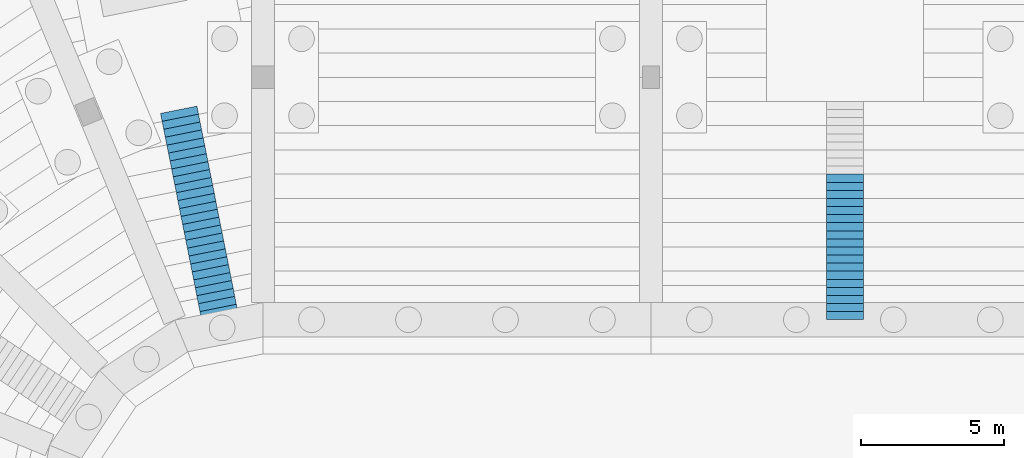
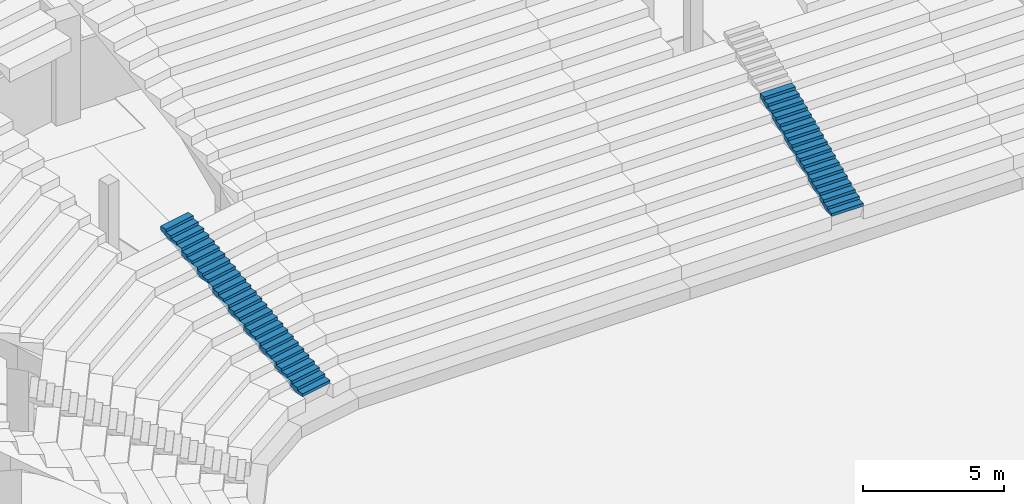
# One storey, part 95 of 115: 3 stair flights, 2 elements without a shape of their own.
"""IFC4 building model written with IfcOpenShell, lengths in metres."""

from ifc_helpers import new_model, si_unit, direction, frame, origin, place, context, subcontext, project, spatial, faceted_brep, material, type_object, element, aggregate, save


model = new_model("IFC4")

# Units and contexts
model_context = context("Model", 3, precision=1e-05, world=origin(), true_north=direction((0.0, 1.0)))
body_context = subcontext(model_context, "Body", "Model", "MODEL_VIEW")
ifc_project = project(units=[si_unit("LENGTHUNIT", "METRE"), si_unit("AREAUNIT", "SQUARE_METRE"), si_unit("VOLUMEUNIT", "CUBIC_METRE"), si_unit("PLANEANGLEUNIT", "RADIAN"), si_unit("MASSUNIT", "GRAM", prefix="KILO")], contexts=[model_context])

# Site, building, storey
site_placement = place(None, origin())
site = spatial("IfcSite", under=ifc_project, at=site_placement, CompositionType="ELEMENT")
building_placement = place(site_placement, origin())
building = spatial("IfcBuilding", under=site, at=building_placement, Name="Ogive Plaza Stadium", CompositionType="ELEMENT")
storey_placement = place(building_placement, frame((0.0, 0.0, -4.5)))
storey = spatial("IfcBuildingStorey", under=building, at=storey_placement, Name="B1", CompositionType="ELEMENT", Elevation=-4.5)

# Stair, stair flights
ifc_material_1 = material(Name="Concrete C40/50", Category="concrete")
stair_type = type_object("IfcStairType", Name="Aisle stair", PredefinedType="STRAIGHT_RUN_STAIR", material=ifc_material_1)
stair_1_placement = place(storey_placement, origin())
stair_1 = element("IfcStair", 1, at=stair_1_placement, inside=storey, type_object=stair_type, Name="Aisle stair SA31D", PredefinedType="STRAIGHT_RUN_STAIR")
ifc_material_2 = material(Name="Concrete C40/50", Category="concrete")
stair_flight_type = type_object("IfcStairFlightType", Name="Aisle stair flight", PredefinedType="STRAIGHT", material=ifc_material_2)
stair_flight_1_placement = place(storey_placement, frame((-35.463134765625, 59.85595703125, 1.125), z_axis=(0.0, 0.0, 1.0), x_axis=(-0.195090322016, 0.980785280403, 0.0)))
stair_flight_1 = element("IfcStairFlight", 2, at=stair_flight_1_placement, type_object=stair_flight_type, Name="SA31D flight 1", NumberOfRisers=18, NumberOfTreads=17, PredefinedType="STRAIGHT", RiserHeight=0.125, TreadLength=0.283333333, context=body_context, shape_type="Brep", body=[
    faceted_brep([(0.371337890625, -0.64990234375, 0.0), (5.10009765625, -0.64990234375, 2.086181640625), (5.10009765625, -0.64990234375, 2.25), (4.816650390625, -0.64990234375, 2.25), (4.816650390625, -0.64990234375, 2.125), (4.533447265625, -0.64990234375, 2.125), (4.533447265625, -0.64990234375, 2.0), (4.25, -0.64990234375, 2.0), (4.25, -0.64990234375, 1.875), (3.966552734375, -0.64990234375, 1.875), (3.966552734375, -0.64990234375, 1.75), (3.683349609375, -0.64990234375, 1.75), (3.683349609375, -0.64990234375, 1.625), (3.39990234375, -0.64990234375, 1.625), (3.39990234375, -0.64990234375, 1.5), (3.11669921875, -0.64990234375, 1.5), (3.11669921875, -0.64990234375, 1.375), (2.833251953125, -0.64990234375, 1.375), (2.833251953125, -0.64990234375, 1.25), (2.550048828125, -0.64990234375, 1.25), (2.550048828125, -0.64990234375, 1.125), (2.2666015625, -0.64990234375, 1.125), (2.2666015625, -0.64990234375, 1.0), (1.9833984375, -0.64990234375, 1.0), (1.9833984375, -0.64990234375, 0.875), (1.699951171875, -0.64990234375, 0.875), (1.699951171875, -0.64990234375, 0.75), (1.416748046875, -0.64990234375, 0.75), (1.416748046875, -0.64990234375, 0.625), (1.13330078125, -0.64990234375, 0.625), (1.13330078125, -0.64990234375, 0.5), (0.85009765625, -0.64990234375, 0.5), (0.85009765625, -0.64990234375, 0.375), (0.566650390625, -0.64990234375, 0.375), (0.566650390625, -0.64990234375, 0.25), (0.283447265625, -0.64990234375, 0.25), (0.283447265625, -0.64990234375, 0.125), (0.0, -0.64990234375, 0.125), (0.0, -0.64990234375, 0.0), (0.0, 0.64990234375, 0.0), (0.0, 0.64990234375, 0.125), (0.283447265625, 0.64990234375, 0.125), (0.283447265625, 0.64990234375, 0.25), (0.566650390625, 0.64990234375, 0.25), (0.566650390625, 0.64990234375, 0.375), (0.85009765625, 0.64990234375, 0.375), (0.85009765625, 0.64990234375, 0.5), (1.13330078125, 0.64990234375, 0.5), (1.13330078125, 0.64990234375, 0.625), (1.416748046875, 0.64990234375, 0.625), (1.416748046875, 0.64990234375, 0.75), (1.699951171875, 0.64990234375, 0.75), (1.699951171875, 0.64990234375, 0.875), (1.9833984375, 0.64990234375, 0.875), (1.9833984375, 0.64990234375, 1.0), (2.2666015625, 0.64990234375, 1.0), (2.2666015625, 0.64990234375, 1.125), (2.550048828125, 0.64990234375, 1.125), (2.550048828125, 0.64990234375, 1.25), (2.833251953125, 0.64990234375, 1.25), (2.833251953125, 0.64990234375, 1.375), (3.11669921875, 0.64990234375, 1.375), (3.11669921875, 0.64990234375, 1.5), (3.39990234375, 0.64990234375, 1.5), (3.39990234375, 0.64990234375, 1.625), (3.683349609375, 0.64990234375, 1.625), (3.683349609375, 0.64990234375, 1.75), (3.966552734375, 0.64990234375, 1.75), (3.966552734375, 0.64990234375, 1.875), (4.25, 0.64990234375, 1.875), (4.25, 0.64990234375, 2.0), (4.533447265625, 0.64990234375, 2.0), (4.533447265625, 0.64990234375, 2.125), (4.816650390625, 0.64990234375, 2.125), (4.816650390625, 0.64990234375, 2.25), (5.10009765625, 0.64990234375, 2.25), (5.10009765625, 0.64990234375, 2.086181640625), (0.371337890625, 0.64990234375, 0.0), (0.371337890625, -0.324951171875, 0.0), (5.10009765625, -0.324951171875, 2.086181640625), (0.371337890625, 0.0, 0.0), (5.10009765625, 0.0, 2.086181640625), (0.371337890625, 0.324951171875, 0.0), (5.10009765625, 0.324951171875, 2.086181640625), (5.10009765625, -0.324951171875, 2.25), (5.10009765625, 0.0, 2.25), (5.10009765625, 0.324951171875, 2.25), (4.816650390625, -0.324951171875, 2.25), (4.816650390625, 0.0, 2.25), (4.816650390625, 0.324951171875, 2.25), (4.816650390625, -0.324951171875, 2.125), (4.816650390625, 0.0, 2.125), (4.816650390625, 0.324951171875, 2.125), (4.533447265625, -0.324951171875, 2.125), (4.533447265625, 0.0, 2.125), (4.533447265625, 0.324951171875, 2.125), (4.533447265625, -0.324951171875, 2.0), (4.533447265625, 0.0, 2.0), (4.533447265625, 0.324951171875, 2.0), (4.25, -0.324951171875, 2.0), (4.25, 0.0, 2.0), (4.25, 0.324951171875, 2.0), (4.25, -0.324951171875, 1.875), (4.25, 0.0, 1.875), (4.25, 0.324951171875, 1.875), (3.966552734375, -0.324951171875, 1.875), (3.966552734375, 0.0, 1.875), (3.966552734375, 0.324951171875, 1.875), (3.966552734375, -0.324951171875, 1.75), (3.966552734375, 0.0, 1.75), (3.966552734375, 0.324951171875, 1.75), (3.683349609375, -0.324951171875, 1.75), (3.683349609375, 0.0, 1.75), (3.683349609375, 0.324951171875, 1.75), (3.683349609375, -0.324951171875, 1.625), (3.683349609375, 0.0, 1.625), (3.683349609375, 0.324951171875, 1.625), (3.39990234375, -0.324951171875, 1.625), (3.39990234375, 0.0, 1.625), (3.39990234375, 0.324951171875, 1.625), (3.39990234375, -0.324951171875, 1.5), (3.39990234375, 0.0, 1.5), (3.39990234375, 0.324951171875, 1.5), (3.11669921875, -0.324951171875, 1.5), (3.11669921875, 0.0, 1.5), (3.11669921875, 0.324951171875, 1.5), (3.11669921875, -0.324951171875, 1.375), (3.11669921875, 0.0, 1.375), (3.11669921875, 0.324951171875, 1.375), (2.833251953125, -0.324951171875, 1.375), (2.833251953125, 0.0, 1.375), (2.833251953125, 0.324951171875, 1.375), (2.833251953125, -0.324951171875, 1.25), (2.833251953125, 0.0, 1.25), (2.833251953125, 0.324951171875, 1.25), (2.550048828125, -0.324951171875, 1.25), (2.550048828125, 0.0, 1.25), (2.550048828125, 0.324951171875, 1.25), (2.550048828125, -0.324951171875, 1.125), (2.550048828125, 0.0, 1.125), (2.550048828125, 0.324951171875, 1.125), (2.2666015625, -0.324951171875, 1.125), (2.2666015625, 0.0, 1.125), (2.2666015625, 0.324951171875, 1.125), (2.2666015625, -0.324951171875, 1.0), (2.2666015625, 0.0, 1.0), (2.2666015625, 0.324951171875, 1.0), (1.9833984375, -0.324951171875, 1.0), (1.9833984375, 0.0, 1.0), (1.9833984375, 0.324951171875, 1.0), (1.9833984375, -0.324951171875, 0.875), (1.9833984375, 0.0, 0.875), (1.9833984375, 0.324951171875, 0.875), (1.699951171875, -0.324951171875, 0.875), (1.699951171875, 0.0, 0.875), (1.699951171875, 0.324951171875, 0.875), (1.699951171875, -0.324951171875, 0.75), (1.699951171875, 0.0, 0.75), (1.699951171875, 0.324951171875, 0.75), (1.416748046875, -0.324951171875, 0.75), (1.416748046875, 0.0, 0.75), (1.416748046875, 0.324951171875, 0.75), (1.416748046875, -0.324951171875, 0.625), (1.416748046875, 0.0, 0.625), (1.416748046875, 0.324951171875, 0.625), (1.13330078125, -0.324951171875, 0.625), (1.13330078125, 0.0, 0.625), (1.13330078125, 0.324951171875, 0.625), (1.13330078125, -0.324951171875, 0.5), (1.13330078125, 0.0, 0.5), (1.13330078125, 0.324951171875, 0.5), (0.85009765625, -0.324951171875, 0.5), (0.85009765625, 0.0, 0.5), (0.85009765625, 0.324951171875, 0.5), (0.85009765625, -0.324951171875, 0.375), (0.85009765625, 0.0, 0.375), (0.85009765625, 0.324951171875, 0.375), (0.566650390625, -0.324951171875, 0.375), (0.566650390625, 0.0, 0.375), (0.566650390625, 0.324951171875, 0.375), (0.566650390625, -0.324951171875, 0.25), (0.566650390625, 0.0, 0.25), (0.566650390625, 0.324951171875, 0.25), (0.283447265625, -0.324951171875, 0.25), (0.283447265625, 0.0, 0.25), (0.283447265625, 0.324951171875, 0.25), (0.283447265625, -0.324951171875, 0.125), (0.283447265625, 0.0, 0.125), (0.283447265625, 0.324951171875, 0.125), (0.0, -0.324951171875, 0.125), (0.0, 0.0, 0.125), (0.0, 0.324951171875, 0.125), (0.0, -0.324951171875, 0.0), (0.0, 0.0, 0.0), (0.0, 0.324951171875, 0.0)], [[[0, 1, 2, 3, 4, 5, 6, 7, 8, 9, 10, 11, 12, 13, 14, 15, 16, 17, 18, 19, 20, 21, 22, 23, 24, 25, 26, 27, 28, 29, 30, 31, 32, 33, 34, 35, 36, 37, 38]], [[39, 40, 41, 42, 43, 44, 45, 46, 47, 48, 49, 50, 51, 52, 53, 54, 55, 56, 57, 58, 59, 60, 61, 62, 63, 64, 65, 66, 67, 68, 69, 70, 71, 72, 73, 74, 75, 76, 77]], [[0, 78, 79, 1]], [[78, 80, 81, 79]], [[80, 82, 83, 81]], [[82, 77, 76, 83]], [[1, 79, 84, 2]], [[79, 81, 85, 84]], [[81, 83, 86, 85]], [[83, 76, 75, 86]], [[2, 84, 87, 3]], [[84, 85, 88, 87]], [[85, 86, 89, 88]], [[86, 75, 74, 89]], [[3, 87, 90, 4]], [[87, 88, 91, 90]], [[88, 89, 92, 91]], [[89, 74, 73, 92]], [[4, 90, 93, 5]], [[90, 91, 94, 93]], [[91, 92, 95, 94]], [[92, 73, 72, 95]], [[5, 93, 96, 6]], [[93, 94, 97, 96]], [[94, 95, 98, 97]], [[95, 72, 71, 98]], [[6, 96, 99, 7]], [[96, 97, 100, 99]], [[97, 98, 101, 100]], [[98, 71, 70, 101]], [[7, 99, 102, 8]], [[99, 100, 103, 102]], [[100, 101, 104, 103]], [[101, 70, 69, 104]], [[8, 102, 105, 9]], [[102, 103, 106, 105]], [[103, 104, 107, 106]], [[104, 69, 68, 107]], [[9, 105, 108, 10]], [[105, 106, 109, 108]], [[106, 107, 110, 109]], [[107, 68, 67, 110]], [[10, 108, 111, 11]], [[108, 109, 112, 111]], [[109, 110, 113, 112]], [[110, 67, 66, 113]], [[11, 111, 114, 12]], [[111, 112, 115, 114]], [[112, 113, 116, 115]], [[113, 66, 65, 116]], [[12, 114, 117, 13]], [[114, 115, 118, 117]], [[115, 116, 119, 118]], [[116, 65, 64, 119]], [[13, 117, 120, 14]], [[117, 118, 121, 120]], [[118, 119, 122, 121]], [[119, 64, 63, 122]], [[14, 120, 123, 15]], [[120, 121, 124, 123]], [[121, 122, 125, 124]], [[122, 63, 62, 125]], [[15, 123, 126, 16]], [[123, 124, 127, 126]], [[124, 125, 128, 127]], [[125, 62, 61, 128]], [[16, 126, 129, 17]], [[126, 127, 130, 129]], [[127, 128, 131, 130]], [[128, 61, 60, 131]], [[17, 129, 132, 18]], [[129, 130, 133, 132]], [[130, 131, 134, 133]], [[131, 60, 59, 134]], [[18, 132, 135, 19]], [[132, 133, 136, 135]], [[133, 134, 137, 136]], [[134, 59, 58, 137]], [[19, 135, 138, 20]], [[135, 136, 139, 138]], [[136, 137, 140, 139]], [[137, 58, 57, 140]], [[20, 138, 141, 21]], [[138, 139, 142, 141]], [[139, 140, 143, 142]], [[140, 57, 56, 143]], [[21, 141, 144, 22]], [[141, 142, 145, 144]], [[142, 143, 146, 145]], [[143, 56, 55, 146]], [[22, 144, 147, 23]], [[144, 145, 148, 147]], [[145, 146, 149, 148]], [[146, 55, 54, 149]], [[23, 147, 150, 24]], [[147, 148, 151, 150]], [[148, 149, 152, 151]], [[149, 54, 53, 152]], [[24, 150, 153, 25]], [[150, 151, 154, 153]], [[151, 152, 155, 154]], [[152, 53, 52, 155]], [[25, 153, 156, 26]], [[153, 154, 157, 156]], [[154, 155, 158, 157]], [[155, 52, 51, 158]], [[26, 156, 159, 27]], [[156, 157, 160, 159]], [[157, 158, 161, 160]], [[158, 51, 50, 161]], [[27, 159, 162, 28]], [[159, 160, 163, 162]], [[160, 161, 164, 163]], [[161, 50, 49, 164]], [[28, 162, 165, 29]], [[162, 163, 166, 165]], [[163, 164, 167, 166]], [[164, 49, 48, 167]], [[29, 165, 168, 30]], [[165, 166, 169, 168]], [[166, 167, 170, 169]], [[167, 48, 47, 170]], [[30, 168, 171, 31]], [[168, 169, 172, 171]], [[169, 170, 173, 172]], [[170, 47, 46, 173]], [[31, 171, 174, 32]], [[171, 172, 175, 174]], [[172, 173, 176, 175]], [[173, 46, 45, 176]], [[32, 174, 177, 33]], [[174, 175, 178, 177]], [[175, 176, 179, 178]], [[176, 45, 44, 179]], [[33, 177, 180, 34]], [[177, 178, 181, 180]], [[178, 179, 182, 181]], [[179, 44, 43, 182]], [[34, 180, 183, 35]], [[180, 181, 184, 183]], [[181, 182, 185, 184]], [[182, 43, 42, 185]], [[35, 183, 186, 36]], [[183, 184, 187, 186]], [[184, 185, 188, 187]], [[185, 42, 41, 188]], [[36, 186, 189, 37]], [[186, 187, 190, 189]], [[187, 188, 191, 190]], [[188, 41, 40, 191]], [[37, 189, 192, 38]], [[189, 190, 193, 192]], [[190, 191, 194, 193]], [[191, 40, 39, 194]], [[38, 192, 78, 0]], [[192, 193, 80, 78]], [[193, 194, 82, 80]], [[194, 39, 77, 82]]]),
])
stair_flight_2_placement = place(storey_placement, frame((-36.458251953125, 64.85791015625, 3.375), z_axis=(0.0, 0.0, 1.0), x_axis=(-0.195090322016, 0.980785280403, 0.0)))
stair_flight_2 = element("IfcStairFlight", 3, at=stair_flight_2_placement, type_object=stair_flight_type, Name="SA31D flight 2", NumberOfRisers=9, NumberOfTreads=8, PredefinedType="STRAIGHT", RiserHeight=0.125, TreadLength=0.283333333, context=body_context, shape_type="Brep", body=[
    faceted_brep([(0.371337890625, -0.64990234375, 0.0), (2.550048828125, -0.64990234375, 0.961181640625), (2.550048828125, -0.64990234375, 1.125), (2.2666015625, -0.64990234375, 1.125), (2.2666015625, -0.64990234375, 1.0), (1.9833984375, -0.64990234375, 1.0), (1.9833984375, -0.64990234375, 0.875), (1.699951171875, -0.64990234375, 0.875), (1.699951171875, -0.64990234375, 0.75), (1.416748046875, -0.64990234375, 0.75), (1.416748046875, -0.64990234375, 0.625), (1.13330078125, -0.64990234375, 0.625), (1.13330078125, -0.64990234375, 0.5), (0.85009765625, -0.64990234375, 0.5), (0.85009765625, -0.64990234375, 0.375), (0.566650390625, -0.64990234375, 0.375), (0.566650390625, -0.64990234375, 0.25), (0.283447265625, -0.64990234375, 0.25), (0.283447265625, -0.64990234375, 0.125), (0.0, -0.64990234375, 0.125), (0.0, -0.64990234375, 0.0), (0.0, 0.64990234375, 0.0), (0.0, 0.64990234375, 0.125), (0.283447265625, 0.64990234375, 0.125), (0.283447265625, 0.64990234375, 0.25), (0.566650390625, 0.64990234375, 0.25), (0.566650390625, 0.64990234375, 0.375), (0.85009765625, 0.64990234375, 0.375), (0.85009765625, 0.64990234375, 0.5), (1.13330078125, 0.64990234375, 0.5), (1.13330078125, 0.64990234375, 0.625), (1.416748046875, 0.64990234375, 0.625), (1.416748046875, 0.64990234375, 0.75), (1.699951171875, 0.64990234375, 0.75), (1.699951171875, 0.64990234375, 0.875), (1.9833984375, 0.64990234375, 0.875), (1.9833984375, 0.64990234375, 1.0), (2.2666015625, 0.64990234375, 1.0), (2.2666015625, 0.64990234375, 1.125), (2.550048828125, 0.64990234375, 1.125), (2.550048828125, 0.64990234375, 0.961181640625), (0.371337890625, 0.64990234375, 0.0), (0.371337890625, -0.324951171875, 0.0), (2.550048828125, -0.324951171875, 0.961181640625), (0.371337890625, 0.0, 0.0), (2.550048828125, 0.0, 0.961181640625), (0.371337890625, 0.324951171875, 0.0), (2.550048828125, 0.324951171875, 0.961181640625), (2.550048828125, -0.324951171875, 1.125), (2.550048828125, 0.0, 1.125), (2.550048828125, 0.324951171875, 1.125), (2.2666015625, -0.324951171875, 1.125), (2.2666015625, 0.0, 1.125), (2.2666015625, 0.324951171875, 1.125), (2.2666015625, -0.324951171875, 1.0), (2.2666015625, 0.0, 1.0), (2.2666015625, 0.324951171875, 1.0), (1.9833984375, -0.324951171875, 1.0), (1.9833984375, 0.0, 1.0), (1.9833984375, 0.324951171875, 1.0), (1.9833984375, -0.324951171875, 0.875), (1.9833984375, 0.0, 0.875), (1.9833984375, 0.324951171875, 0.875), (1.699951171875, -0.324951171875, 0.875), (1.699951171875, 0.0, 0.875), (1.699951171875, 0.324951171875, 0.875), (1.699951171875, -0.324951171875, 0.75), (1.699951171875, 0.0, 0.75), (1.699951171875, 0.324951171875, 0.75), (1.416748046875, -0.324951171875, 0.75), (1.416748046875, 0.0, 0.75), (1.416748046875, 0.324951171875, 0.75), (1.416748046875, -0.324951171875, 0.625), (1.416748046875, 0.0, 0.625), (1.416748046875, 0.324951171875, 0.625), (1.13330078125, -0.324951171875, 0.625), (1.13330078125, 0.0, 0.625), (1.13330078125, 0.324951171875, 0.625), (1.13330078125, -0.324951171875, 0.5), (1.13330078125, 0.0, 0.5), (1.13330078125, 0.324951171875, 0.5), (0.85009765625, -0.324951171875, 0.5), (0.85009765625, 0.0, 0.5), (0.85009765625, 0.324951171875, 0.5), (0.85009765625, -0.324951171875, 0.375), (0.85009765625, 0.0, 0.375), (0.85009765625, 0.324951171875, 0.375), (0.566650390625, -0.324951171875, 0.375), (0.566650390625, 0.0, 0.375), (0.566650390625, 0.324951171875, 0.375), (0.566650390625, -0.324951171875, 0.25), (0.566650390625, 0.0, 0.25), (0.566650390625, 0.324951171875, 0.25), (0.283447265625, -0.324951171875, 0.25), (0.283447265625, 0.0, 0.25), (0.283447265625, 0.324951171875, 0.25), (0.283447265625, -0.324951171875, 0.125), (0.283447265625, 0.0, 0.125), (0.283447265625, 0.324951171875, 0.125), (0.0, -0.324951171875, 0.125), (0.0, 0.0, 0.125), (0.0, 0.324951171875, 0.125), (0.0, -0.324951171875, 0.0), (0.0, 0.0, 0.0), (0.0, 0.324951171875, 0.0)], [[[0, 1, 2, 3, 4, 5, 6, 7, 8, 9, 10, 11, 12, 13, 14, 15, 16, 17, 18, 19, 20]], [[21, 22, 23, 24, 25, 26, 27, 28, 29, 30, 31, 32, 33, 34, 35, 36, 37, 38, 39, 40, 41]], [[0, 42, 43, 1]], [[42, 44, 45, 43]], [[44, 46, 47, 45]], [[46, 41, 40, 47]], [[1, 43, 48, 2]], [[43, 45, 49, 48]], [[45, 47, 50, 49]], [[47, 40, 39, 50]], [[2, 48, 51, 3]], [[48, 49, 52, 51]], [[49, 50, 53, 52]], [[50, 39, 38, 53]], [[3, 51, 54, 4]], [[51, 52, 55, 54]], [[52, 53, 56, 55]], [[53, 38, 37, 56]], [[4, 54, 57, 5]], [[54, 55, 58, 57]], [[55, 56, 59, 58]], [[56, 37, 36, 59]], [[5, 57, 60, 6]], [[57, 58, 61, 60]], [[58, 59, 62, 61]], [[59, 36, 35, 62]], [[6, 60, 63, 7]], [[60, 61, 64, 63]], [[61, 62, 65, 64]], [[62, 35, 34, 65]], [[7, 63, 66, 8]], [[63, 64, 67, 66]], [[64, 65, 68, 67]], [[65, 34, 33, 68]], [[8, 66, 69, 9]], [[66, 67, 70, 69]], [[67, 68, 71, 70]], [[68, 33, 32, 71]], [[9, 69, 72, 10]], [[69, 70, 73, 72]], [[70, 71, 74, 73]], [[71, 32, 31, 74]], [[10, 72, 75, 11]], [[72, 73, 76, 75]], [[73, 74, 77, 76]], [[74, 31, 30, 77]], [[11, 75, 78, 12]], [[75, 76, 79, 78]], [[76, 77, 80, 79]], [[77, 30, 29, 80]], [[12, 78, 81, 13]], [[78, 79, 82, 81]], [[79, 80, 83, 82]], [[80, 29, 28, 83]], [[13, 81, 84, 14]], [[81, 82, 85, 84]], [[82, 83, 86, 85]], [[83, 28, 27, 86]], [[14, 84, 87, 15]], [[84, 85, 88, 87]], [[85, 86, 89, 88]], [[86, 27, 26, 89]], [[15, 87, 90, 16]], [[87, 88, 91, 90]], [[88, 89, 92, 91]], [[89, 26, 25, 92]], [[16, 90, 93, 17]], [[90, 91, 94, 93]], [[91, 92, 95, 94]], [[92, 25, 24, 95]], [[17, 93, 96, 18]], [[93, 94, 97, 96]], [[94, 95, 98, 97]], [[95, 24, 23, 98]], [[18, 96, 99, 19]], [[96, 97, 100, 99]], [[97, 98, 101, 100]], [[98, 23, 22, 101]], [[19, 99, 102, 20]], [[99, 100, 103, 102]], [[100, 101, 104, 103]], [[101, 22, 21, 104]], [[20, 102, 42, 0]], [[102, 103, 44, 42]], [[103, 104, 46, 44]], [[104, 21, 41, 46]]]),
])
aggregate(stair_1, [stair_flight_1, stair_flight_2])

# Stair, stair flight
stair_2_placement = place(storey_placement, origin())
stair_2 = element("IfcStair", 4, at=stair_2_placement, inside=storey, type_object=stair_type, Name="Aisle stair SA33D", PredefinedType="STRAIGHT_RUN_STAIR")
stair_flight_3_placement = place(storey_placement, frame((-13.60009765625, 60.0, 1.125), z_axis=(0.0, 0.0, 1.0), x_axis=(0.0, 1.0, 0.0)))
stair_flight_3 = element("IfcStairFlight", 5, at=stair_flight_3_placement, type_object=stair_flight_type, Name="SA33D flight 1", NumberOfRisers=18, NumberOfTreads=17, PredefinedType="STRAIGHT", RiserHeight=0.125, TreadLength=0.283333333, context=body_context, shape_type="Brep", body=[
    faceted_brep([(0.371337890625, -0.64990234375, 0.0), (5.10009765625, -0.64990234375, 2.086181640625), (5.10009765625, -0.64990234375, 2.25), (4.816650390625, -0.64990234375, 2.25), (4.816650390625, -0.64990234375, 2.125), (4.533447265625, -0.64990234375, 2.125), (4.533447265625, -0.64990234375, 2.0), (4.25, -0.64990234375, 2.0), (4.25, -0.64990234375, 1.875), (3.966552734375, -0.64990234375, 1.875), (3.966552734375, -0.64990234375, 1.75), (3.683349609375, -0.64990234375, 1.75), (3.683349609375, -0.64990234375, 1.625), (3.39990234375, -0.64990234375, 1.625), (3.39990234375, -0.64990234375, 1.5), (3.11669921875, -0.64990234375, 1.5), (3.11669921875, -0.64990234375, 1.375), (2.833251953125, -0.64990234375, 1.375), (2.833251953125, -0.64990234375, 1.25), (2.550048828125, -0.64990234375, 1.25), (2.550048828125, -0.64990234375, 1.125), (2.2666015625, -0.64990234375, 1.125), (2.2666015625, -0.64990234375, 1.0), (1.9833984375, -0.64990234375, 1.0), (1.9833984375, -0.64990234375, 0.875), (1.699951171875, -0.64990234375, 0.875), (1.699951171875, -0.64990234375, 0.75), (1.416748046875, -0.64990234375, 0.75), (1.416748046875, -0.64990234375, 0.625), (1.13330078125, -0.64990234375, 0.625), (1.13330078125, -0.64990234375, 0.5), (0.85009765625, -0.64990234375, 0.5), (0.85009765625, -0.64990234375, 0.375), (0.566650390625, -0.64990234375, 0.375), (0.566650390625, -0.64990234375, 0.25), (0.283447265625, -0.64990234375, 0.25), (0.283447265625, -0.64990234375, 0.125), (0.0, -0.64990234375, 0.125), (0.0, -0.64990234375, 0.0), (0.0, 0.64990234375, 0.0), (0.0, 0.64990234375, 0.125), (0.283447265625, 0.64990234375, 0.125), (0.283447265625, 0.64990234375, 0.25), (0.566650390625, 0.64990234375, 0.25), (0.566650390625, 0.64990234375, 0.375), (0.85009765625, 0.64990234375, 0.375), (0.85009765625, 0.64990234375, 0.5), (1.13330078125, 0.64990234375, 0.5), (1.13330078125, 0.64990234375, 0.625), (1.416748046875, 0.64990234375, 0.625), (1.416748046875, 0.64990234375, 0.75), (1.699951171875, 0.64990234375, 0.75), (1.699951171875, 0.64990234375, 0.875), (1.9833984375, 0.64990234375, 0.875), (1.9833984375, 0.64990234375, 1.0), (2.2666015625, 0.64990234375, 1.0), (2.2666015625, 0.64990234375, 1.125), (2.550048828125, 0.64990234375, 1.125), (2.550048828125, 0.64990234375, 1.25), (2.833251953125, 0.64990234375, 1.25), (2.833251953125, 0.64990234375, 1.375), (3.11669921875, 0.64990234375, 1.375), (3.11669921875, 0.64990234375, 1.5), (3.39990234375, 0.64990234375, 1.5), (3.39990234375, 0.64990234375, 1.625), (3.683349609375, 0.64990234375, 1.625), (3.683349609375, 0.64990234375, 1.75), (3.966552734375, 0.64990234375, 1.75), (3.966552734375, 0.64990234375, 1.875), (4.25, 0.64990234375, 1.875), (4.25, 0.64990234375, 2.0), (4.533447265625, 0.64990234375, 2.0), (4.533447265625, 0.64990234375, 2.125), (4.816650390625, 0.64990234375, 2.125), (4.816650390625, 0.64990234375, 2.25), (5.10009765625, 0.64990234375, 2.25), (5.10009765625, 0.64990234375, 2.086181640625), (0.371337890625, 0.64990234375, 0.0), (0.371337890625, -0.324951171875, 0.0), (5.10009765625, -0.324951171875, 2.086181640625), (0.371337890625, 0.0, 0.0), (5.10009765625, 0.0, 2.086181640625), (0.371337890625, 0.324951171875, 0.0), (5.10009765625, 0.324951171875, 2.086181640625), (5.10009765625, -0.324951171875, 2.25), (5.10009765625, 0.0, 2.25), (5.10009765625, 0.324951171875, 2.25), (4.816650390625, -0.324951171875, 2.25), (4.816650390625, 0.0, 2.25), (4.816650390625, 0.324951171875, 2.25), (4.816650390625, -0.324951171875, 2.125), (4.816650390625, 0.0, 2.125), (4.816650390625, 0.324951171875, 2.125), (4.533447265625, -0.324951171875, 2.125), (4.533447265625, 0.0, 2.125), (4.533447265625, 0.324951171875, 2.125), (4.533447265625, -0.324951171875, 2.0), (4.533447265625, 0.0, 2.0), (4.533447265625, 0.324951171875, 2.0), (4.25, -0.324951171875, 2.0), (4.25, 0.0, 2.0), (4.25, 0.324951171875, 2.0), (4.25, -0.324951171875, 1.875), (4.25, 0.0, 1.875), (4.25, 0.324951171875, 1.875), (3.966552734375, -0.324951171875, 1.875), (3.966552734375, 0.0, 1.875), (3.966552734375, 0.324951171875, 1.875), (3.966552734375, -0.324951171875, 1.75), (3.966552734375, 0.0, 1.75), (3.966552734375, 0.324951171875, 1.75), (3.683349609375, -0.324951171875, 1.75), (3.683349609375, 0.0, 1.75), (3.683349609375, 0.324951171875, 1.75), (3.683349609375, -0.324951171875, 1.625), (3.683349609375, 0.0, 1.625), (3.683349609375, 0.324951171875, 1.625), (3.39990234375, -0.324951171875, 1.625), (3.39990234375, 0.0, 1.625), (3.39990234375, 0.324951171875, 1.625), (3.39990234375, -0.324951171875, 1.5), (3.39990234375, 0.0, 1.5), (3.39990234375, 0.324951171875, 1.5), (3.11669921875, -0.324951171875, 1.5), (3.11669921875, 0.0, 1.5), (3.11669921875, 0.324951171875, 1.5), (3.11669921875, -0.324951171875, 1.375), (3.11669921875, 0.0, 1.375), (3.11669921875, 0.324951171875, 1.375), (2.833251953125, -0.324951171875, 1.375), (2.833251953125, 0.0, 1.375), (2.833251953125, 0.324951171875, 1.375), (2.833251953125, -0.324951171875, 1.25), (2.833251953125, 0.0, 1.25), (2.833251953125, 0.324951171875, 1.25), (2.550048828125, -0.324951171875, 1.25), (2.550048828125, 0.0, 1.25), (2.550048828125, 0.324951171875, 1.25), (2.550048828125, -0.324951171875, 1.125), (2.550048828125, 0.0, 1.125), (2.550048828125, 0.324951171875, 1.125), (2.2666015625, -0.324951171875, 1.125), (2.2666015625, 0.0, 1.125), (2.2666015625, 0.324951171875, 1.125), (2.2666015625, -0.324951171875, 1.0), (2.2666015625, 0.0, 1.0), (2.2666015625, 0.324951171875, 1.0), (1.9833984375, -0.324951171875, 1.0), (1.9833984375, 0.0, 1.0), (1.9833984375, 0.324951171875, 1.0), (1.9833984375, -0.324951171875, 0.875), (1.9833984375, 0.0, 0.875), (1.9833984375, 0.324951171875, 0.875), (1.699951171875, -0.324951171875, 0.875), (1.699951171875, 0.0, 0.875), (1.699951171875, 0.324951171875, 0.875), (1.699951171875, -0.324951171875, 0.75), (1.699951171875, 0.0, 0.75), (1.699951171875, 0.324951171875, 0.75), (1.416748046875, -0.324951171875, 0.75), (1.416748046875, 0.0, 0.75), (1.416748046875, 0.324951171875, 0.75), (1.416748046875, -0.324951171875, 0.625), (1.416748046875, 0.0, 0.625), (1.416748046875, 0.324951171875, 0.625), (1.13330078125, -0.324951171875, 0.625), (1.13330078125, 0.0, 0.625), (1.13330078125, 0.324951171875, 0.625), (1.13330078125, -0.324951171875, 0.5), (1.13330078125, 0.0, 0.5), (1.13330078125, 0.324951171875, 0.5), (0.85009765625, -0.324951171875, 0.5), (0.85009765625, 0.0, 0.5), (0.85009765625, 0.324951171875, 0.5), (0.85009765625, -0.324951171875, 0.375), (0.85009765625, 0.0, 0.375), (0.85009765625, 0.324951171875, 0.375), (0.566650390625, -0.324951171875, 0.375), (0.566650390625, 0.0, 0.375), (0.566650390625, 0.324951171875, 0.375), (0.566650390625, -0.324951171875, 0.25), (0.566650390625, 0.0, 0.25), (0.566650390625, 0.324951171875, 0.25), (0.283447265625, -0.324951171875, 0.25), (0.283447265625, 0.0, 0.25), (0.283447265625, 0.324951171875, 0.25), (0.283447265625, -0.324951171875, 0.125), (0.283447265625, 0.0, 0.125), (0.283447265625, 0.324951171875, 0.125), (0.0, -0.324951171875, 0.125), (0.0, 0.0, 0.125), (0.0, 0.324951171875, 0.125), (0.0, -0.324951171875, 0.0), (0.0, 0.0, 0.0), (0.0, 0.324951171875, 0.0)], [[[0, 1, 2, 3, 4, 5, 6, 7, 8, 9, 10, 11, 12, 13, 14, 15, 16, 17, 18, 19, 20, 21, 22, 23, 24, 25, 26, 27, 28, 29, 30, 31, 32, 33, 34, 35, 36, 37, 38]], [[39, 40, 41, 42, 43, 44, 45, 46, 47, 48, 49, 50, 51, 52, 53, 54, 55, 56, 57, 58, 59, 60, 61, 62, 63, 64, 65, 66, 67, 68, 69, 70, 71, 72, 73, 74, 75, 76, 77]], [[0, 78, 79, 1]], [[78, 80, 81, 79]], [[80, 82, 83, 81]], [[82, 77, 76, 83]], [[1, 79, 84, 2]], [[79, 81, 85, 84]], [[81, 83, 86, 85]], [[83, 76, 75, 86]], [[2, 84, 87, 3]], [[84, 85, 88, 87]], [[85, 86, 89, 88]], [[86, 75, 74, 89]], [[3, 87, 90, 4]], [[87, 88, 91, 90]], [[88, 89, 92, 91]], [[89, 74, 73, 92]], [[4, 90, 93, 5]], [[90, 91, 94, 93]], [[91, 92, 95, 94]], [[92, 73, 72, 95]], [[5, 93, 96, 6]], [[93, 94, 97, 96]], [[94, 95, 98, 97]], [[95, 72, 71, 98]], [[6, 96, 99, 7]], [[96, 97, 100, 99]], [[97, 98, 101, 100]], [[98, 71, 70, 101]], [[7, 99, 102, 8]], [[99, 100, 103, 102]], [[100, 101, 104, 103]], [[101, 70, 69, 104]], [[8, 102, 105, 9]], [[102, 103, 106, 105]], [[103, 104, 107, 106]], [[104, 69, 68, 107]], [[9, 105, 108, 10]], [[105, 106, 109, 108]], [[106, 107, 110, 109]], [[107, 68, 67, 110]], [[10, 108, 111, 11]], [[108, 109, 112, 111]], [[109, 110, 113, 112]], [[110, 67, 66, 113]], [[11, 111, 114, 12]], [[111, 112, 115, 114]], [[112, 113, 116, 115]], [[113, 66, 65, 116]], [[12, 114, 117, 13]], [[114, 115, 118, 117]], [[115, 116, 119, 118]], [[116, 65, 64, 119]], [[13, 117, 120, 14]], [[117, 118, 121, 120]], [[118, 119, 122, 121]], [[119, 64, 63, 122]], [[14, 120, 123, 15]], [[120, 121, 124, 123]], [[121, 122, 125, 124]], [[122, 63, 62, 125]], [[15, 123, 126, 16]], [[123, 124, 127, 126]], [[124, 125, 128, 127]], [[125, 62, 61, 128]], [[16, 126, 129, 17]], [[126, 127, 130, 129]], [[127, 128, 131, 130]], [[128, 61, 60, 131]], [[17, 129, 132, 18]], [[129, 130, 133, 132]], [[130, 131, 134, 133]], [[131, 60, 59, 134]], [[18, 132, 135, 19]], [[132, 133, 136, 135]], [[133, 134, 137, 136]], [[134, 59, 58, 137]], [[19, 135, 138, 20]], [[135, 136, 139, 138]], [[136, 137, 140, 139]], [[137, 58, 57, 140]], [[20, 138, 141, 21]], [[138, 139, 142, 141]], [[139, 140, 143, 142]], [[140, 57, 56, 143]], [[21, 141, 144, 22]], [[141, 142, 145, 144]], [[142, 143, 146, 145]], [[143, 56, 55, 146]], [[22, 144, 147, 23]], [[144, 145, 148, 147]], [[145, 146, 149, 148]], [[146, 55, 54, 149]], [[23, 147, 150, 24]], [[147, 148, 151, 150]], [[148, 149, 152, 151]], [[149, 54, 53, 152]], [[24, 150, 153, 25]], [[150, 151, 154, 153]], [[151, 152, 155, 154]], [[152, 53, 52, 155]], [[25, 153, 156, 26]], [[153, 154, 157, 156]], [[154, 155, 158, 157]], [[155, 52, 51, 158]], [[26, 156, 159, 27]], [[156, 157, 160, 159]], [[157, 158, 161, 160]], [[158, 51, 50, 161]], [[27, 159, 162, 28]], [[159, 160, 163, 162]], [[160, 161, 164, 163]], [[161, 50, 49, 164]], [[28, 162, 165, 29]], [[162, 163, 166, 165]], [[163, 164, 167, 166]], [[164, 49, 48, 167]], [[29, 165, 168, 30]], [[165, 166, 169, 168]], [[166, 167, 170, 169]], [[167, 48, 47, 170]], [[30, 168, 171, 31]], [[168, 169, 172, 171]], [[169, 170, 173, 172]], [[170, 47, 46, 173]], [[31, 171, 174, 32]], [[171, 172, 175, 174]], [[172, 173, 176, 175]], [[173, 46, 45, 176]], [[32, 174, 177, 33]], [[174, 175, 178, 177]], [[175, 176, 179, 178]], [[176, 45, 44, 179]], [[33, 177, 180, 34]], [[177, 178, 181, 180]], [[178, 179, 182, 181]], [[179, 44, 43, 182]], [[34, 180, 183, 35]], [[180, 181, 184, 183]], [[181, 182, 185, 184]], [[182, 43, 42, 185]], [[35, 183, 186, 36]], [[183, 184, 187, 186]], [[184, 185, 188, 187]], [[185, 42, 41, 188]], [[36, 186, 189, 37]], [[186, 187, 190, 189]], [[187, 188, 191, 190]], [[188, 41, 40, 191]], [[37, 189, 192, 38]], [[189, 190, 193, 192]], [[190, 191, 194, 193]], [[191, 40, 39, 194]], [[38, 192, 78, 0]], [[192, 193, 80, 78]], [[193, 194, 82, 80]], [[194, 39, 77, 82]]]),
])
aggregate(stair_2, [stair_flight_3])

save(model, "model.ifc")
